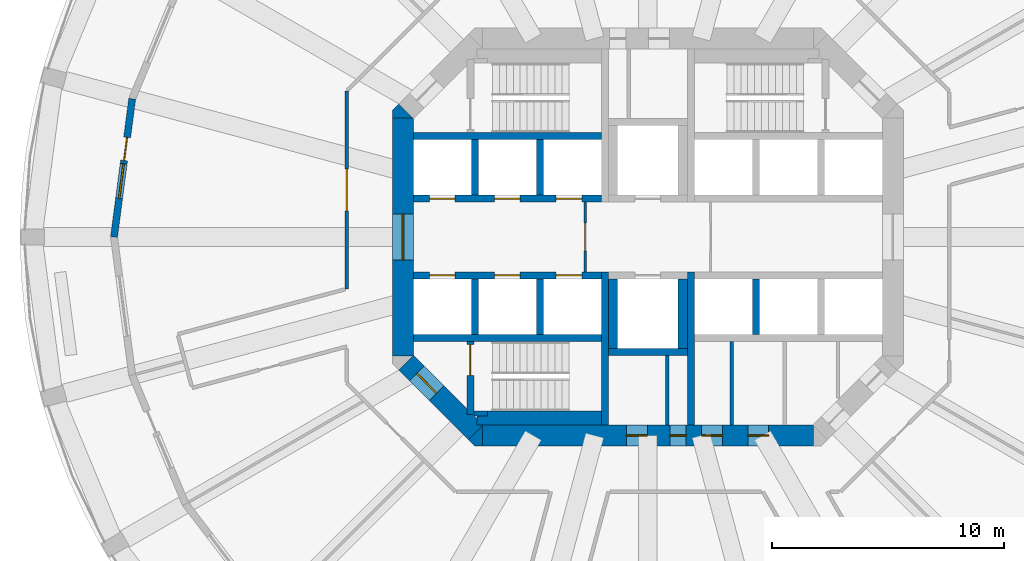
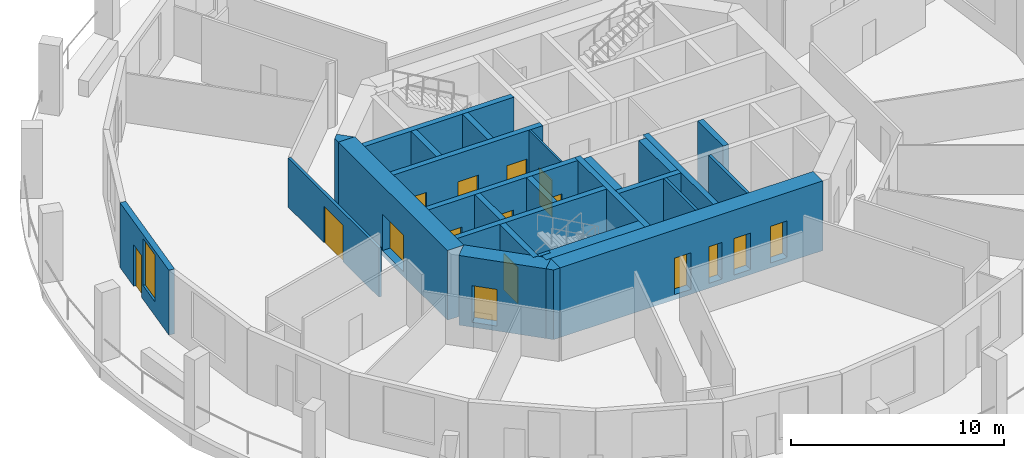
# One storey, part 3 of 9: 27 walls, 16 doors, 1 window, 17 openings.
"""IFC4 building model written with IfcOpenShell, lengths in metres."""

from ifc_helpers import new_model, si_unit, direction, frame, frame_2d, origin, place, context, subcontext, project, spatial, polyline, rectangle, outline, extrude, material, layer, layer_set, type_object, element, fill, save


model = new_model("IFC4")

# Units and contexts
model_context = context("Model", 3, precision=1e-05, world=origin(), true_north=direction((0.0, 1.0)))
body_context = subcontext(model_context, "Body", "Model", "MODEL_VIEW")
ifc_project = project(units=[si_unit("LENGTHUNIT", "METRE"), si_unit("AREAUNIT", "SQUARE_METRE"), si_unit("VOLUMEUNIT", "CUBIC_METRE"), si_unit("PLANEANGLEUNIT", "RADIAN"), si_unit("MASSUNIT", "GRAM", prefix="KILO")], contexts=[model_context])

# Site, building, storey
site_placement = place(None, origin())
site = spatial("IfcSite", under=ifc_project, at=site_placement, CompositionType="ELEMENT")
building_placement = place(site_placement, origin())
building = spatial("IfcBuilding", under=site, at=building_placement, Name="Torre Triforio", CompositionType="ELEMENT")
storey_placement = place(building_placement, frame((0.0, 0.0, 59.0)))
storey = spatial("IfcBuildingStorey", under=building, at=storey_placement, Name="L12", CompositionType="ELEMENT", Elevation=59.0)

# Walls
ifc_material_1 = material(Name="Concrete C60", Category="concrete")
ifc_layer_1 = layer(ifc_material_1, 0.300048828125)
ifc_layer_set_1 = layer_set([ifc_layer_1], Name="Concrete C60")
wall_type_1 = type_object("IfcWallType", Name="Core wall 300 mm C60 EI 120", PredefinedType="SHEAR", material=ifc_layer_set_1)
for number, where, z_axis, x_axis, name in (
    (1, (-1.85009765625, -8.10009765625, 0.0), (0.0, 0.0, 1.0), (0.0, 1.0, 0.0), "Core wall"),
    (2, (1.85009765625, -8.10009765625, 0.0), (0.0, 0.0, 1.0), (0.0, 1.0, 0.0), "Core wall"),
):
    element("IfcWall", number, at=place(storey_placement, frame(where, z_axis=z_axis, x_axis=x_axis)), inside=storey, type_object=wall_type_1, Name=name, PredefinedType="SHEAR", context=body_context, shape_type="SweptSolid", body=[
        extrude(rectangle(XDim=6.60009765625, YDim=0.300048828125, at=frame_2d((3.300048828125, 0.0))), origin(), (0.0, 0.0, 1.0), 3.719970703125),
    ])

# Wall, openings, doors
ifc_layer_2 = layer(ifc_material_1, 0.89990234375)
ifc_layer_set_2 = layer_set([ifc_layer_2], Name="Concrete C60")
wall_type_2 = type_object("IfcWallType", Name="Core wall 900 mm C60 EI 120", PredefinedType="SHEAR", material=ifc_layer_set_2)
wall_1_placement = place(storey_placement, frame((-7.1298828125, -8.550048828125, -0.280029296875), z_axis=(0.0, 0.0, 1.0), x_axis=(1.0, 0.0, 0.0)))
wall_1 = element("IfcWall", 3, at=wall_1_placement, inside=storey, type_object=wall_type_2, Name="Core wall", PredefinedType="SHEAR", context=body_context, shape_type="SweptSolid", body=[
    extrude(rectangle(XDim=14.259765625, YDim=0.89990234375, at=frame_2d((7.1298828125, 0.0))), origin(), (0.0, 0.0, 1.0), 4.0),
])
opening_1_placement = place(wall_1_placement, frame((8.080078125, 0.0, 0.280029296875)))
opening_1 = element("IfcOpeningElement", 4, at=opening_1_placement, cuts=wall_1, Name="Opening RISER-S", PredefinedType="OPENING", context=body_context, shape_type="SweptSolid", body=[
    extrude(rectangle(XDim=0.699951171875, YDim=2.10009765625, at=frame_2d((0.35009765625, 1.050048828125))), frame((0.0, 0.4599609375, 0.0), z_axis=(0.0, -1.0, 0.0), x_axis=(1.0, 0.0, 0.0)), (0.0, 0.0, 1.0), 0.919921875),
])
opening_2_placement = place(wall_1_placement, frame((6.205078125, 0.0, 0.280029296875)))
opening_2 = element("IfcOpeningElement", 5, at=opening_2_placement, cuts=wall_1, Name="Opening SW-01B", PredefinedType="OPENING", context=body_context, shape_type="SweptSolid", body=[
    extrude(rectangle(XDim=0.89990234375, YDim=2.10009765625, at=frame_2d((0.449951171875, 1.050048828125))), frame((0.0, 0.4599609375, 0.0), z_axis=(0.0, -1.0, 0.0), x_axis=(1.0, 0.0, 0.0)), (0.0, 0.0, 1.0), 0.919921875),
])
opening_3_placement = place(wall_1_placement, frame((9.445068359375, 0.0, 0.280029296875)))
opening_3 = element("IfcOpeningElement", 6, at=opening_3_placement, cuts=wall_1, Name="Opening SE-01A", PredefinedType="OPENING", context=body_context, shape_type="SweptSolid", body=[
    extrude(rectangle(XDim=0.89990234375, YDim=2.10009765625, at=frame_2d((0.449951171875, 1.050048828125))), frame((0.0, 0.4599609375, 0.0), z_axis=(0.0, -1.0, 0.0), x_axis=(1.0, 0.0, 0.0)), (0.0, 0.0, 1.0), 0.919921875),
])
opening_4_placement = place(wall_1_placement, frame((11.430908203125, 0.0, 0.280029296875)))
opening_4 = element("IfcOpeningElement", 7, at=opening_4_placement, cuts=wall_1, Name="Opening SE-02", PredefinedType="OPENING", context=body_context, shape_type="SweptSolid", body=[
    extrude(rectangle(XDim=0.89990234375, YDim=2.10009765625, at=frame_2d((0.449951171875, 1.050048828125))), frame((0.0, 0.4599609375, 0.0), z_axis=(0.0, -1.0, 0.0), x_axis=(1.0, 0.0, 0.0)), (0.0, 0.0, 1.0), 0.919921875),
])
ifc_material_2 = material(Name="Hollow metal fire door leaf")
door_type_1 = type_object("IfcDoorType", Name="Riser door 700 x 2100 EI 60", OperationType="NOTDEFINED", PredefinedType="DOOR", material=ifc_material_2)
door_1_placement = place(opening_1_placement, origin())
door_1 = element("IfcDoor", 8, at=door_1_placement, inside=storey, type_object=door_type_1, Name="Core door RISER-S", OperationType="SINGLE_SWING_RIGHT", OverallHeight=2.10009765625, OverallWidth=0.699951171875, PredefinedType="DOOR", context=body_context, shape_type="SweptSolid", body=[
    extrude(rectangle(XDim=0.699951171875, YDim=2.10009765625, at=frame_2d((0.35009765625, 1.050048828125))), frame((0.0, 0.02490234375, 0.0), z_axis=(0.0, -1.0, 0.0), x_axis=(1.0, 0.0, 0.0)), (0.0, 0.0, 1.0), 0.050048828125),
])
fill(opening_1, door_1)
door_type_2 = type_object("IfcDoorType", Name="Room door 900 x 2100 EI 60", OperationType="NOTDEFINED", PredefinedType="DOOR", material=ifc_material_2)
door_2_placement = place(opening_2_placement, origin())
door_2 = element("IfcDoor", 9, at=door_2_placement, inside=storey, type_object=door_type_2, Name="Core door SW-01", OperationType="SINGLE_SWING_LEFT", OverallHeight=2.10009765625, OverallWidth=0.89990234375, PredefinedType="DOOR", context=body_context, shape_type="SweptSolid", body=[
    extrude(rectangle(XDim=0.89990234375, YDim=2.10009765625, at=frame_2d((0.449951171875, 1.050048828125))), frame((0.0, 0.02490234375, 0.0), z_axis=(0.0, -1.0, 0.0), x_axis=(1.0, 0.0, 0.0)), (0.0, 0.0, 1.0), 0.050048828125),
])
fill(opening_2, door_2)
door_3_placement = place(opening_3_placement, origin())
door_3 = element("IfcDoor", 10, at=door_3_placement, inside=storey, type_object=door_type_2, Name="Core door SE-01", OperationType="SINGLE_SWING_RIGHT", OverallHeight=2.10009765625, OverallWidth=0.89990234375, PredefinedType="DOOR", context=body_context, shape_type="SweptSolid", body=[
    extrude(rectangle(XDim=0.89990234375, YDim=2.10009765625, at=frame_2d((0.449951171875, 1.050048828125))), frame((0.0, 0.02490234375, 0.0), z_axis=(0.0, -1.0, 0.0), x_axis=(1.0, 0.0, 0.0)), (0.0, 0.0, 1.0), 0.050048828125),
])
fill(opening_3, door_3)
door_4_placement = place(opening_4_placement, origin())
door_4 = element("IfcDoor", 11, at=door_4_placement, inside=storey, type_object=door_type_2, Name="Core door SE-02", OperationType="SINGLE_SWING_LEFT", OverallHeight=2.10009765625, OverallWidth=0.89990234375, PredefinedType="DOOR", context=body_context, shape_type="SweptSolid", body=[
    extrude(rectangle(XDim=0.89990234375, YDim=2.10009765625, at=frame_2d((0.449951171875, 1.050048828125))), frame((0.0, 0.02490234375, 0.0), z_axis=(0.0, -1.0, 0.0), x_axis=(1.0, 0.0, 0.0)), (0.0, 0.0, 1.0), 0.050048828125),
])
fill(opening_4, door_4)

# Wall, opening, door
wall_2_placement = place(storey_placement, frame((-10.550048828125, -5.1298828125, -0.280029296875), z_axis=(0.0, 0.0, 1.0), x_axis=(0.0, 1.0, 0.0)))
wall_2 = element("IfcWall", 12, at=wall_2_placement, inside=storey, type_object=wall_type_2, Name="Core wall", PredefinedType="SHEAR", context=body_context, shape_type="SweptSolid", body=[
    extrude(rectangle(XDim=10.259765625, YDim=0.89990234375, at=frame_2d((5.1298828125, 0.0))), origin(), (0.0, 0.0, 1.0), 4.0),
])
opening_5_placement = place(wall_2_placement, frame((4.1298828125, 0.0, 0.280029296875)))
opening_5 = element("IfcOpeningElement", 13, at=opening_5_placement, cuts=wall_2, Name="Opening W-RING", PredefinedType="OPENING", context=body_context, shape_type="SweptSolid", body=[
    extrude(rectangle(XDim=2.0, YDim=2.10009765625, at=frame_2d((1.0, 1.050048828125))), frame((0.0, 0.4599609375, 0.0), z_axis=(0.0, -1.0, 0.0), x_axis=(1.0, 0.0, 0.0)), (0.0, 0.0, 1.0), 0.919921875),
])
door_type_3 = type_object("IfcDoorType", Name="Lobby door 2000 x 2100 EI 60", OperationType="DOUBLE_DOOR_SINGLE_SWING", PredefinedType="DOOR", material=ifc_material_2)
door_5_placement = place(opening_5_placement, origin())
door_5 = element("IfcDoor", 14, at=door_5_placement, inside=storey, type_object=door_type_3, Name="Core door W-RING", OperationType="DOUBLE_DOOR_SINGLE_SWING", OverallHeight=2.10009765625, OverallWidth=2.0, PredefinedType="DOOR", context=body_context, shape_type="SweptSolid", body=[
    extrude(rectangle(XDim=2.0, YDim=2.10009765625, at=frame_2d((1.0, 1.050048828125))), frame((0.0, 0.02490234375, 0.0), z_axis=(0.0, -1.0, 0.0), x_axis=(1.0, 0.0, 0.0)), (0.0, 0.0, 1.0), 0.050048828125),
])
fill(opening_5, door_5)

wall_3_placement = place(storey_placement, frame((-7.418212890625, -8.418212890625, -0.280029296875), z_axis=(0.0, 0.0, 1.0), x_axis=(-0.707106781187, 0.707106781187, 0.0)))
wall_3 = element("IfcWall", 15, at=wall_3_placement, inside=storey, type_object=wall_type_2, Name="Core wall", PredefinedType="SHEAR", context=body_context, shape_type="SweptSolid", body=[
    extrude(rectangle(XDim=4.24267578125, YDim=0.89990234375, at=frame_2d((2.121337890625, 0.0))), origin(), (0.0, 0.0, 1.0), 4.0),
])
opening_6_placement = place(wall_3_placement, frame((2.392578125, 0.0, 0.280029296875)))
opening_6 = element("IfcOpeningElement", 16, at=opening_6_placement, cuts=wall_3, Name="Opening ST3-EXIT", PredefinedType="OPENING", context=body_context, shape_type="SweptSolid", body=[
    extrude(rectangle(XDim=1.199951171875, YDim=2.10009765625, at=frame_2d((0.60009765625, 1.050048828125))), frame((0.0, 0.4599609375, 0.0), z_axis=(0.0, -1.0, 0.0), x_axis=(1.0, 0.0, 0.0)), (0.0, 0.0, 1.0), 0.919921875),
])
door_type_4 = type_object("IfcDoorType", Name="Stair lobby door 1200 x 2100 EI 60", OperationType="NOTDEFINED", PredefinedType="DOOR", material=ifc_material_2)
door_6_placement = place(opening_6_placement, origin())
door_6 = element("IfcDoor", 17, at=door_6_placement, inside=storey, type_object=door_type_4, Name="Core door ST3-EXIT", OperationType="SINGLE_SWING_RIGHT", OverallHeight=2.10009765625, OverallWidth=1.199951171875, PredefinedType="DOOR", context=body_context, shape_type="SweptSolid", body=[
    extrude(rectangle(XDim=1.199951171875, YDim=2.10009765625, at=frame_2d((0.60009765625, 1.050048828125))), frame((0.0, 0.02490234375, 0.0), z_axis=(0.0, -1.0, 0.0), x_axis=(1.0, 0.0, 0.0)), (0.0, 0.0, 1.0), 0.050048828125),
])
fill(opening_6, door_6)

# Walls
wall_4_placement = place(storey_placement, frame((0.0, 0.0, -0.280029296875)))
element("IfcWall", 18, at=wall_4_placement, inside=storey, type_object=wall_type_2, Name="Core wall", PredefinedType="SHEAR", context=body_context, shape_type="SweptSolid", body=[
    extrude(outline(polyline([(-7.472900390625, -9.0), (-7.736328125, -8.736328125), (-7.1298828125, -8.1298828125), (-7.1298828125, -9.0), (-7.472900390625, -9.0)])), origin(), (0.0, 0.0, 1.0), 4.0),
])
wall_5_placement = place(storey_placement, frame((0.0, 0.0, -0.280029296875)))
element("IfcWall", 19, at=wall_5_placement, inside=storey, type_object=wall_type_2, Name="Core wall", PredefinedType="SHEAR", context=body_context, shape_type="SweptSolid", body=[
    extrude(outline(polyline([(-10.736328125, 5.736328125), (-10.1298828125, 5.1298828125), (-11.0, 5.1298828125), (-11.0, 5.472900390625), (-10.736328125, 5.736328125)])), origin(), (0.0, 0.0, 1.0), 4.0),
])

# Wall, opening, door
ifc_material_3 = material(Name="Plasterboard on metal studs")
ifc_layer_3 = layer(ifc_material_3, 0.14990234375)
ifc_layer_set_3 = layer_set([ifc_layer_3], Name="Plasterboard on metal studs")
wall_type_3 = type_object("IfcWallType", Name="Corridor and tenancy wall 150 mm EI 60", PredefinedType="PARTITIONING", material=ifc_layer_set_3)
wall_6_placement = place(storey_placement, frame((-12.97509765625, -2.234375, 0.0), z_axis=(0.0, 0.0, 1.0), x_axis=(0.0, 1.0, 0.0)))
wall_6 = element("IfcWall", 20, at=wall_6_placement, inside=storey, type_object=wall_type_3, Name="Partition 3", PredefinedType="PARTITIONING", context=body_context, shape_type="SweptSolid", body=[
    extrude(rectangle(XDim=8.525390625, YDim=0.14990234375, at=frame_2d((4.2626953125, 0.0))), origin(), (0.0, 0.0, 1.0), 2.820068359375),
])
opening_7_placement = place(wall_6_placement, frame((3.362548828125, 0.0, 0.0)))
opening_7 = element("IfcOpeningElement", 21, at=opening_7_placement, cuts=wall_6, Name="Opening N4-01", PredefinedType="OPENING", context=body_context, shape_type="SweptSolid", body=[
    extrude(rectangle(XDim=1.800048828125, YDim=2.10009765625, at=frame_2d((0.89990234375, 1.050048828125))), frame((0.0, 0.0849609375, 0.0), z_axis=(0.0, -1.0, 0.0), x_axis=(1.0, 0.0, 0.0)), (0.0, 0.0, 1.0), 0.169921875),
])
ifc_material_4 = material(Name="Timber", Category="wood")
door_type_5 = type_object("IfcDoorType", Name="Door 1800 x 2100 double leaf EI 30", OperationType="DOUBLE_DOOR_SINGLE_SWING", PredefinedType="DOOR", material=ifc_material_4)
door_7_placement = place(opening_7_placement, origin())
door_7 = element("IfcDoor", 22, at=door_7_placement, inside=storey, type_object=door_type_5, Name="Door N4-01", OperationType="DOUBLE_DOOR_SINGLE_SWING", OverallHeight=2.10009765625, OverallWidth=1.800048828125, PredefinedType="DOOR", context=body_context, shape_type="SweptSolid", body=[
    extrude(rectangle(XDim=1.800048828125, YDim=2.10009765625, at=frame_2d((0.89990234375, 1.050048828125))), frame((0.0, 0.02490234375, 0.0), z_axis=(0.0, -1.0, 0.0), x_axis=(1.0, 0.0, 0.0)), (0.0, 0.0, 1.0), 0.050048828125),
])
fill(opening_7, door_7)

ifc_material_5 = material(Name="Block and board partition")
ifc_layer_4 = layer(ifc_material_5, 0.10009765625)
ifc_layer_set_4 = layer_set([ifc_layer_4], Name="Block and board partition")
wall_type_4 = type_object("IfcWallType", Name="Partition 100 mm EI 120", PredefinedType="PARTITIONING", material=ifc_layer_set_4)
wall_7_placement = place(storey_placement, frame((-2.699951171875, -1.5, 0.0), z_axis=(0.0, 0.0, 1.0), x_axis=(0.0, 1.0, 0.0)))
wall_7 = element("IfcWall", 23, at=wall_7_placement, inside=storey, type_object=wall_type_4, Name="Partition", PredefinedType="PARTITIONING", context=body_context, shape_type="SweptSolid", body=[
    extrude(rectangle(XDim=3.0, YDim=0.10009765625, at=frame_2d((1.5, 0.0))), origin(), (0.0, 0.0, 1.0), 3.719970703125),
])
opening_8_placement = place(wall_7_placement, frame((0.89990234375, 0.0, 0.0)))
opening_8 = element("IfcOpeningElement", 24, at=opening_8_placement, cuts=wall_7, Name="Opening FF-W", PredefinedType="OPENING", context=body_context, shape_type="SweptSolid", body=[
    extrude(rectangle(XDim=1.199951171875, YDim=2.10009765625, at=frame_2d((0.60009765625, 1.050048828125))), frame((0.0, 0.06005859375, 0.0), z_axis=(0.0, -1.0, 0.0), x_axis=(1.0, 0.0, 0.0)), (0.0, 0.0, 1.0), 0.1201171875),
])
door_type_6 = type_object("IfcDoorType", Name="Fire-fighting lobby door 1200 x 2100 EI 60", OperationType="NOTDEFINED", PredefinedType="DOOR", material=ifc_material_2)
door_8_placement = place(opening_8_placement, origin())
door_8 = element("IfcDoor", 25, at=door_8_placement, inside=storey, type_object=door_type_6, Name="Core door FF-W", OperationType="SINGLE_SWING_LEFT", OverallHeight=2.10009765625, OverallWidth=1.199951171875, PredefinedType="DOOR", context=body_context, shape_type="SweptSolid", body=[
    extrude(rectangle(XDim=1.199951171875, YDim=2.10009765625, at=frame_2d((0.60009765625, 1.050048828125))), frame((0.0, 0.02490234375, 0.0), z_axis=(0.0, -1.0, 0.0), x_axis=(1.0, 0.0, 0.0)), (0.0, 0.0, 1.0), 0.050048828125),
])
fill(opening_8, door_8)

# Walls
ifc_layer_5 = layer(ifc_material_5, 0.14990234375)
ifc_layer_set_5 = layer_set([ifc_layer_5], Name="Block and board partition")
wall_type_5 = type_object("IfcWallType", Name="Partition 150 mm", PredefinedType="PARTITIONING", material=ifc_layer_set_5)
wall_8_placement = place(storey_placement, frame((3.60498046875, -8.10009765625, 0.0), z_axis=(0.0, 0.0, 1.0), x_axis=(0.0, 1.0, 0.0)))
element("IfcWall", 26, at=wall_8_placement, inside=storey, type_object=wall_type_5, Name="Partition", PredefinedType="PARTITIONING", context=body_context, shape_type="SweptSolid", body=[
    extrude(rectangle(XDim=3.60009765625, YDim=0.14990234375, at=frame_2d((1.800048828125, 0.0))), origin(), (0.0, 0.0, 1.0), 3.719970703125),
])
ifc_layer_6 = layer(ifc_material_5, 0.14990234375)
ifc_layer_set_6 = layer_set([ifc_layer_6], Name="Block and board partition")
wall_type_6 = type_object("IfcWallType", Name="Partition 150 mm EI 120", PredefinedType="PARTITIONING", material=ifc_layer_set_6)
wall_9_placement = place(storey_placement, frame((0.824951171875, -8.10009765625, 0.0), z_axis=(0.0, 0.0, 1.0), x_axis=(0.0, 1.0, 0.0)))
element("IfcWall", 27, at=wall_9_placement, inside=storey, type_object=wall_type_6, Name="Partition", PredefinedType="PARTITIONING", context=body_context, shape_type="SweptSolid", body=[
    extrude(rectangle(XDim=3.0, YDim=0.14990234375, at=frame_2d((1.5, 0.0))), origin(), (0.0, 0.0, 1.0), 3.719970703125),
])
ifc_layer_7 = layer(ifc_material_1, 0.300048828125)
ifc_layer_set_7 = layer_set([ifc_layer_7], Name="Concrete C60")
wall_type_7 = type_object("IfcWallType", Name="Shaft wall 300 mm C60 EI 120", PredefinedType="SOLIDWALL", material=ifc_layer_set_7)
for number, where, z_axis, x_axis, name in (
    (28, (-10.10009765625, 4.35009765625, 0.0), (0.0, 0.0, 1.0), (1.0, 0.0, 0.0), "Shaft wall"),
    (29, (-10.10009765625, -4.35009765625, 0.0), (0.0, 0.0, 1.0), (1.0, 0.0, 0.0), "Shaft wall"),
):
    element("IfcWall", number, at=place(storey_placement, frame(where, z_axis=z_axis, x_axis=x_axis)), inside=storey, type_object=wall_type_7, Name=name, PredefinedType="SOLIDWALL", context=body_context, shape_type="SweptSolid", body=[
        extrude(rectangle(XDim=8.10009765625, YDim=0.300048828125, at=frame_2d((4.050048828125, 0.0))), origin(), (0.0, 0.0, 1.0), 3.719970703125),
    ])

# Wall, openings, doors
wall_10_placement = place(storey_placement, frame((-10.10009765625, 1.64990234375, 0.0), z_axis=(0.0, 0.0, 1.0), x_axis=(1.0, 0.0, 0.0)))
wall_10 = element("IfcWall", 30, at=wall_10_placement, inside=storey, type_object=wall_type_7, Name="Shaft wall", PredefinedType="SOLIDWALL", context=body_context, shape_type="SweptSolid", body=[
    extrude(rectangle(XDim=8.10009765625, YDim=0.300048828125, at=frame_2d((4.050048828125, 0.0))), origin(), (0.0, 0.0, 1.0), 3.719970703125),
])
opening_9_placement = place(wall_10_placement, frame((0.699951171875, 0.0, 0.0)))
opening_9 = element("IfcOpeningElement", 31, at=opening_9_placement, cuts=wall_10, Name="Opening LD", PredefinedType="OPENING", context=body_context, shape_type="SweptSolid", body=[
    extrude(rectangle(XDim=1.10009765625, YDim=2.10009765625, at=frame_2d((0.550048828125, 1.050048828125))), frame((0.0, 0.159912109375, 0.0), z_axis=(0.0, -1.0, 0.0), x_axis=(1.0, 0.0, 0.0)), (0.0, 0.0, 1.0), 0.320068359375),
])
opening_10_placement = place(wall_10_placement, frame((3.5, 0.0, 0.0)))
opening_10 = element("IfcOpeningElement", 32, at=opening_10_placement, cuts=wall_10, Name="Opening LD", PredefinedType="OPENING", context=body_context, shape_type="SweptSolid", body=[
    extrude(rectangle(XDim=1.10009765625, YDim=2.10009765625, at=frame_2d((0.550048828125, 1.050048828125))), frame((0.0, 0.159912109375, 0.0), z_axis=(0.0, -1.0, 0.0), x_axis=(1.0, 0.0, 0.0)), (0.0, 0.0, 1.0), 0.320068359375),
])
opening_11_placement = place(wall_10_placement, frame((6.14990234375, 0.0, 0.0)))
opening_11 = element("IfcOpeningElement", 33, at=opening_11_placement, cuts=wall_10, Name="Opening LD", PredefinedType="OPENING", context=body_context, shape_type="SweptSolid", body=[
    extrude(rectangle(XDim=1.10009765625, YDim=2.10009765625, at=frame_2d((0.550048828125, 1.050048828125))), frame((0.0, 0.159912109375, 0.0), z_axis=(0.0, -1.0, 0.0), x_axis=(1.0, 0.0, 0.0)), (0.0, 0.0, 1.0), 0.320068359375),
])
door_type_7 = type_object("IfcDoorType", Name="Landing door 1100 x 2100 EI 60", OperationType="DOUBLE_DOOR_SLIDING", PredefinedType="DOOR", material=ifc_material_2)
door_9_placement = place(opening_9_placement, origin())
door_9 = element("IfcDoor", 34, at=door_9_placement, inside=storey, type_object=door_type_7, Name="Landing door LR1", OperationType="DOUBLE_DOOR_SLIDING", OverallHeight=2.10009765625, OverallWidth=1.10009765625, PredefinedType="DOOR", context=body_context, shape_type="SweptSolid", body=[
    extrude(rectangle(XDim=1.10009765625, YDim=2.10009765625, at=frame_2d((0.550048828125, 1.050048828125))), frame((0.0, 0.02490234375, 0.0), z_axis=(0.0, -1.0, 0.0), x_axis=(1.0, 0.0, 0.0)), (0.0, 0.0, 1.0), 0.050048828125),
])
fill(opening_9, door_9)
door_10_placement = place(opening_10_placement, origin())
door_10 = element("IfcDoor", 35, at=door_10_placement, inside=storey, type_object=door_type_7, Name="Landing door LR2", OperationType="DOUBLE_DOOR_SLIDING", OverallHeight=2.10009765625, OverallWidth=1.10009765625, PredefinedType="DOOR", context=body_context, shape_type="SweptSolid", body=[
    extrude(rectangle(XDim=1.10009765625, YDim=2.10009765625, at=frame_2d((0.550048828125, 1.050048828125))), frame((0.0, 0.02490234375, 0.0), z_axis=(0.0, -1.0, 0.0), x_axis=(1.0, 0.0, 0.0)), (0.0, 0.0, 1.0), 0.050048828125),
])
fill(opening_10, door_10)
door_11_placement = place(opening_11_placement, origin())
door_11 = element("IfcDoor", 36, at=door_11_placement, inside=storey, type_object=door_type_7, Name="Landing door LR3", OperationType="DOUBLE_DOOR_SLIDING", OverallHeight=2.10009765625, OverallWidth=1.10009765625, PredefinedType="DOOR", context=body_context, shape_type="SweptSolid", body=[
    extrude(rectangle(XDim=1.10009765625, YDim=2.10009765625, at=frame_2d((0.550048828125, 1.050048828125))), frame((0.0, 0.02490234375, 0.0), z_axis=(0.0, -1.0, 0.0), x_axis=(1.0, 0.0, 0.0)), (0.0, 0.0, 1.0), 0.050048828125),
])
fill(opening_11, door_11)

wall_11_placement = place(storey_placement, frame((-10.10009765625, -1.64990234375, 0.0), z_axis=(0.0, 0.0, 1.0), x_axis=(1.0, 0.0, 0.0)))
wall_11 = element("IfcWall", 37, at=wall_11_placement, inside=storey, type_object=wall_type_7, Name="Shaft wall", PredefinedType="SOLIDWALL", context=body_context, shape_type="SweptSolid", body=[
    extrude(rectangle(XDim=8.10009765625, YDim=0.300048828125, at=frame_2d((4.050048828125, 0.0))), origin(), (0.0, 0.0, 1.0), 3.719970703125),
])
opening_12_placement = place(wall_11_placement, frame((0.699951171875, 0.0, 0.0)))
opening_12 = element("IfcOpeningElement", 38, at=opening_12_placement, cuts=wall_11, Name="Opening LD", PredefinedType="OPENING", context=body_context, shape_type="SweptSolid", body=[
    extrude(rectangle(XDim=1.10009765625, YDim=2.10009765625, at=frame_2d((0.550048828125, 1.050048828125))), frame((0.0, 0.159912109375, 0.0), z_axis=(0.0, -1.0, 0.0), x_axis=(1.0, 0.0, 0.0)), (0.0, 0.0, 1.0), 0.320068359375),
])
opening_13_placement = place(wall_11_placement, frame((3.5, 0.0, 0.0)))
opening_13 = element("IfcOpeningElement", 39, at=opening_13_placement, cuts=wall_11, Name="Opening LD", PredefinedType="OPENING", context=body_context, shape_type="SweptSolid", body=[
    extrude(rectangle(XDim=1.10009765625, YDim=2.10009765625, at=frame_2d((0.550048828125, 1.050048828125))), frame((0.0, 0.159912109375, 0.0), z_axis=(0.0, -1.0, 0.0), x_axis=(1.0, 0.0, 0.0)), (0.0, 0.0, 1.0), 0.320068359375),
])
opening_14_placement = place(wall_11_placement, frame((6.14990234375, 0.0, 0.0)))
opening_14 = element("IfcOpeningElement", 40, at=opening_14_placement, cuts=wall_11, Name="Opening LD", PredefinedType="OPENING", context=body_context, shape_type="SweptSolid", body=[
    extrude(rectangle(XDim=1.10009765625, YDim=2.10009765625, at=frame_2d((0.550048828125, 1.050048828125))), frame((0.0, 0.159912109375, 0.0), z_axis=(0.0, -1.0, 0.0), x_axis=(1.0, 0.0, 0.0)), (0.0, 0.0, 1.0), 0.320068359375),
])
door_12_placement = place(opening_12_placement, origin())
door_12 = element("IfcDoor", 41, at=door_12_placement, inside=storey, type_object=door_type_7, Name="Landing door LR4", OperationType="DOUBLE_DOOR_SLIDING", OverallHeight=2.10009765625, OverallWidth=1.10009765625, PredefinedType="DOOR", context=body_context, shape_type="SweptSolid", body=[
    extrude(rectangle(XDim=1.10009765625, YDim=2.10009765625, at=frame_2d((0.550048828125, 1.050048828125))), frame((0.0, 0.02490234375, 0.0), z_axis=(0.0, -1.0, 0.0), x_axis=(1.0, 0.0, 0.0)), (0.0, 0.0, 1.0), 0.050048828125),
])
fill(opening_12, door_12)
door_13_placement = place(opening_13_placement, origin())
door_13 = element("IfcDoor", 42, at=door_13_placement, inside=storey, type_object=door_type_7, Name="Landing door LR5", OperationType="DOUBLE_DOOR_SLIDING", OverallHeight=2.10009765625, OverallWidth=1.10009765625, PredefinedType="DOOR", context=body_context, shape_type="SweptSolid", body=[
    extrude(rectangle(XDim=1.10009765625, YDim=2.10009765625, at=frame_2d((0.550048828125, 1.050048828125))), frame((0.0, 0.02490234375, 0.0), z_axis=(0.0, -1.0, 0.0), x_axis=(1.0, 0.0, 0.0)), (0.0, 0.0, 1.0), 0.050048828125),
])
fill(opening_13, door_13)
door_14_placement = place(opening_14_placement, origin())
door_14 = element("IfcDoor", 43, at=door_14_placement, inside=storey, type_object=door_type_7, Name="Landing door LR6", OperationType="DOUBLE_DOOR_SLIDING", OverallHeight=2.10009765625, OverallWidth=1.10009765625, PredefinedType="DOOR", context=body_context, shape_type="SweptSolid", body=[
    extrude(rectangle(XDim=1.10009765625, YDim=2.10009765625, at=frame_2d((0.550048828125, 1.050048828125))), frame((0.0, 0.02490234375, 0.0), z_axis=(0.0, -1.0, 0.0), x_axis=(1.0, 0.0, 0.0)), (0.0, 0.0, 1.0), 0.050048828125),
])
fill(opening_14, door_14)

# Walls
for number, where, z_axis, x_axis, name in (
    (44, (-7.449951171875, 1.800048828125, 0.0), (0.0, 0.0, 1.0), (0.0, 1.0, 0.0), "Shaft wall"),
    (45, (-7.449951171875, -4.199951171875, 0.0), (0.0, 0.0, 1.0), (0.0, 1.0, 0.0), "Shaft wall"),
    (46, (-4.64990234375, 1.800048828125, 0.0), (0.0, 0.0, 1.0), (0.0, 1.0, 0.0), "Shaft wall"),
    (47, (-4.64990234375, -4.199951171875, 0.0), (0.0, 0.0, 1.0), (0.0, 1.0, 0.0), "Shaft wall"),
    (48, (4.64990234375, -4.199951171875, 0.0), (0.0, 0.0, 1.0), (0.0, 1.0, 0.0), "Shaft wall"),
):
    element("IfcWall", number, at=place(storey_placement, frame(where, z_axis=z_axis, x_axis=x_axis)), inside=storey, type_object=wall_type_7, Name=name, PredefinedType="SOLIDWALL", context=body_context, shape_type="SweptSolid", body=[
        extrude(rectangle(XDim=2.39990234375, YDim=0.300048828125, at=frame_2d((1.199951171875, 0.0))), origin(), (0.0, 0.0, 1.0), 3.719970703125),
    ])
wall_12_placement = place(storey_placement, frame((-1.699951171875, -4.949951171875, 0.0), z_axis=(0.0, 0.0, 1.0), x_axis=(1.0, 0.0, 0.0)))
element("IfcWall", 49, at=wall_12_placement, inside=storey, type_object=wall_type_7, Name="Shaft wall", PredefinedType="SOLIDWALL", context=body_context, shape_type="SweptSolid", body=[
    extrude(rectangle(XDim=3.39990234375, YDim=0.300048828125, at=frame_2d((1.699951171875, 0.0))), origin(), (0.0, 0.0, 1.0), 3.719970703125),
])
ifc_layer_8 = layer(ifc_material_1, 0.39990234375)
ifc_layer_set_8 = layer_set([ifc_layer_8], Name="Concrete C60")
wall_type_8 = type_object("IfcWallType", Name="Shaft wall 400 mm C60 EI 120", PredefinedType="SOLIDWALL", material=ifc_layer_set_8)
for number, where, z_axis, x_axis, name in (
    (50, (-1.5, -4.800048828125, 0.0), (0.0, 0.0, 1.0), (0.0, 1.0, 0.0), "Shaft wall"),
    (51, (1.5, -4.800048828125, 0.0), (0.0, 0.0, 1.0), (0.0, 1.0, 0.0), "Shaft wall"),
):
    element("IfcWall", number, at=place(storey_placement, frame(where, z_axis=z_axis, x_axis=x_axis)), inside=storey, type_object=wall_type_8, Name=name, PredefinedType="SOLIDWALL", context=body_context, shape_type="SweptSolid", body=[
        extrude(rectangle(XDim=3.0, YDim=0.39990234375, at=frame_2d((1.5, 0.0))), origin(), (0.0, 0.0, 1.0), 3.719970703125),
    ])
ifc_layer_9 = layer(ifc_material_1, 0.199951171875)
ifc_layer_set_9 = layer_set([ifc_layer_9], Name="Concrete C60")
wall_type_9 = type_object("IfcWallType", Name="Stair wall 200 mm C60 EI 120", PredefinedType="SHEAR", material=ifc_layer_set_9)
wall_13_placement = place(storey_placement, frame((-7.5, -7.60009765625, 0.0), z_axis=(0.0, 0.0, 1.0), x_axis=(1.0, 0.0, 0.0)))
element("IfcWall", 52, at=wall_13_placement, inside=storey, type_object=wall_type_9, Name="Stair wall", PredefinedType="SHEAR", context=body_context, shape_type="SweptSolid", body=[
    extrude(rectangle(XDim=0.60009765625, YDim=0.199951171875, at=frame_2d((0.300048828125, 0.0))), origin(), (0.0, 0.0, 1.0), 3.719970703125),
])

# Wall, opening, door
ifc_layer_10 = layer(ifc_material_1, 0.300048828125)
ifc_layer_set_10 = layer_set([ifc_layer_10], Name="Concrete C60")
wall_type_10 = type_object("IfcWallType", Name="Stair wall 300 mm C60 EI 120", PredefinedType="SHEAR", material=ifc_layer_set_10)
wall_14_placement = place(storey_placement, frame((-7.64990234375, -7.639892578125, 0.0), z_axis=(0.0, 0.0, 1.0), x_axis=(0.0, 1.0, 0.0)))
wall_14 = element("IfcWall", 53, at=wall_14_placement, inside=storey, type_object=wall_type_10, Name="Stair wall", PredefinedType="SHEAR", context=body_context, shape_type="SweptSolid", body=[
    extrude(rectangle(XDim=3.139892578125, YDim=0.300048828125, at=frame_2d((1.56982421875, 0.0))), origin(), (0.0, 0.0, 1.0), 3.719970703125),
])
opening_15_placement = place(wall_14_placement, frame((1.679931640625, 0.0, 0.0)))
opening_15 = element("IfcOpeningElement", 54, at=opening_15_placement, cuts=wall_14, Name="Opening ST3-STA", PredefinedType="OPENING", context=body_context, shape_type="SweptSolid", body=[
    extrude(rectangle(XDim=1.320068359375, YDim=2.10009765625, at=frame_2d((0.66015625, 1.050048828125))), frame((0.0, 0.159912109375, 0.0), z_axis=(0.0, -1.0, 0.0), x_axis=(1.0, 0.0, 0.0)), (0.0, 0.0, 1.0), 0.320068359375),
])
door_type_8 = type_object("IfcDoorType", Name="Stair door 1320 x 2100 EI 90", OperationType="DOUBLE_DOOR_SINGLE_SWING", PredefinedType="DOOR", material=ifc_material_2)
door_15_placement = place(opening_15_placement, origin())
door_15 = element("IfcDoor", 55, at=door_15_placement, inside=storey, type_object=door_type_8, Name="Core door ST3-ST", OperationType="DOUBLE_DOOR_SINGLE_SWING", OverallHeight=2.10009765625, OverallWidth=1.320068359375, PredefinedType="DOOR", context=body_context, shape_type="SweptSolid", body=[
    extrude(rectangle(XDim=1.320068359375, YDim=2.10009765625, at=frame_2d((0.66015625, 1.050048828125))), frame((0.0, 0.02490234375, 0.0), z_axis=(0.0, -1.0, 0.0), x_axis=(1.0, 0.0, 0.0)), (0.0, 0.0, 1.0), 0.050048828125),
])
fill(opening_15, door_15)

# Wall
ifc_layer_11 = layer(ifc_material_1, 0.60009765625)
ifc_layer_set_11 = layer_set([ifc_layer_11], Name="Concrete C60")
wall_type_11 = type_object("IfcWallType", Name="Stair wall 600 mm C60 EI 120", PredefinedType="SHEAR", material=ifc_layer_set_11)
wall_15_placement = place(storey_placement, frame((-7.3701171875, -7.800048828125, 0.0), z_axis=(0.0, 0.0, 1.0), x_axis=(1.0, 0.0, 0.0)))
element("IfcWall", 56, at=wall_15_placement, inside=storey, type_object=wall_type_11, Name="Stair wall", PredefinedType="SHEAR", context=body_context, shape_type="SweptSolid", body=[
    extrude(rectangle(XDim=5.3701171875, YDim=0.60009765625, at=frame_2d((2.68505859375, 0.0))), origin(), (0.0, 0.0, 1.0), 3.719970703125),
])

# Wall, openings, door, window
ifc_material_6 = material(Name="Limestone cladding", Category="masonry")
ifc_layer_12 = layer(ifc_material_6, 0.10009765625)
ifc_material_7 = material(Name="Concrete C40", Category="concrete")
ifc_layer_13 = layer(ifc_material_7, 0.199951171875)
ifc_layer_set_12 = layer_set([ifc_layer_12, ifc_layer_13], Name="Limestone cladding / Concrete C40")
wall_type_12 = type_object("IfcWallType", Name="Stone-faced composite wall 300", PredefinedType="STANDARD", material=ifc_layer_set_12)
wall_16_placement = place(storey_placement, frame((-22.21630859375, 5.952880859375, 0.0), z_axis=(0.0, 0.0, 1.0), x_axis=(-0.130522880875, -0.991445297315, 0.0)))
wall_16 = element("IfcWall", 57, at=wall_16_placement, inside=storey, type_object=wall_type_12, Name="External wall L12 bay 12", PredefinedType="STANDARD", context=body_context, shape_type="SweptSolid", body=[
    extrude(rectangle(XDim=6.004150390625, YDim=0.300048828125, at=frame_2d((3.001953125, 0.0))), origin(), (0.0, 0.0, 1.0), 3.719970703125),
])
opening_16_placement = place(wall_16_placement, frame((1.677001953125, 0.0, 0.0)))
opening_16 = element("IfcOpeningElement", 58, at=opening_16_placement, cuts=wall_16, Name="Opening N4-D12", PredefinedType="OPENING", context=body_context, shape_type="SweptSolid", body=[
    extrude(rectangle(XDim=1.0, YDim=2.39990234375, at=frame_2d((0.5, 1.199951171875))), frame((0.0, 0.159912109375, 0.0), z_axis=(0.0, -1.0, 0.0), x_axis=(1.0, 0.0, 0.0)), (0.0, 0.0, 1.0), 0.320068359375),
])
opening_17_placement = place(wall_16_placement, frame((2.8271484375, 0.0, 0.800048828125)))
opening_17 = element("IfcOpeningElement", 59, at=opening_17_placement, cuts=wall_16, Name="Opening N4-W12A", PredefinedType="OPENING", context=body_context, shape_type="SweptSolid", body=[
    extrude(rectangle(XDim=1.5, YDim=2.699951171875, at=frame_2d((0.75, 1.35009765625))), frame((0.0, 0.159912109375, 0.0), z_axis=(0.0, -1.0, 0.0), x_axis=(1.0, 0.0, 0.0)), (0.0, 0.0, 1.0), 0.320068359375),
])
ifc_material_8 = material(Name="Aluminium frame with clear double glazing", Category="aluminium")
door_type_9 = type_object("IfcDoorType", Name="Loggia door 1000 x 2400", OperationType="NOTDEFINED", PredefinedType="DOOR", material=ifc_material_8)
door_16_placement = place(opening_16_placement, origin())
door_16 = element("IfcDoor", 60, at=door_16_placement, inside=storey, type_object=door_type_9, Name="Loggia door L12 bay 12", OperationType="SINGLE_SWING_LEFT", OverallHeight=2.39990234375, OverallWidth=1.0, PredefinedType="DOOR", context=body_context, shape_type="SweptSolid", body=[
    extrude(rectangle(XDim=1.0, YDim=2.39990234375, at=frame_2d((0.5, 1.199951171875))), frame((0.0, 0.02490234375, 0.0), z_axis=(0.0, -1.0, 0.0), x_axis=(1.0, 0.0, 0.0)), (0.0, 0.0, 1.0), 0.050048828125),
])
fill(opening_16, door_16)
window_type = type_object("IfcWindowType", Name="Side window 1500 x 2700", PartitioningType="SINGLE_PANEL", PredefinedType="WINDOW", material=ifc_material_8)
window_placement = place(opening_17_placement, origin())
window = element("IfcWindow", 61, at=window_placement, inside=storey, type_object=window_type, Name="Side window EWN12 L12 bay 12", OverallHeight=2.699951171875, OverallWidth=1.5, PartitioningType="SINGLE_PANEL", PredefinedType="WINDOW", context=body_context, shape_type="SweptSolid", body=[
    extrude(rectangle(XDim=1.5, YDim=2.699951171875, at=frame_2d((0.75, 1.35009765625))), frame((0.0, 0.030029296875, 0.0), z_axis=(0.0, -1.0, 0.0), x_axis=(1.0, 0.0, 0.0)), (0.0, 0.0, 1.0), 0.06005859375),
])
fill(opening_17, window)

save(model, "model.ifc")
